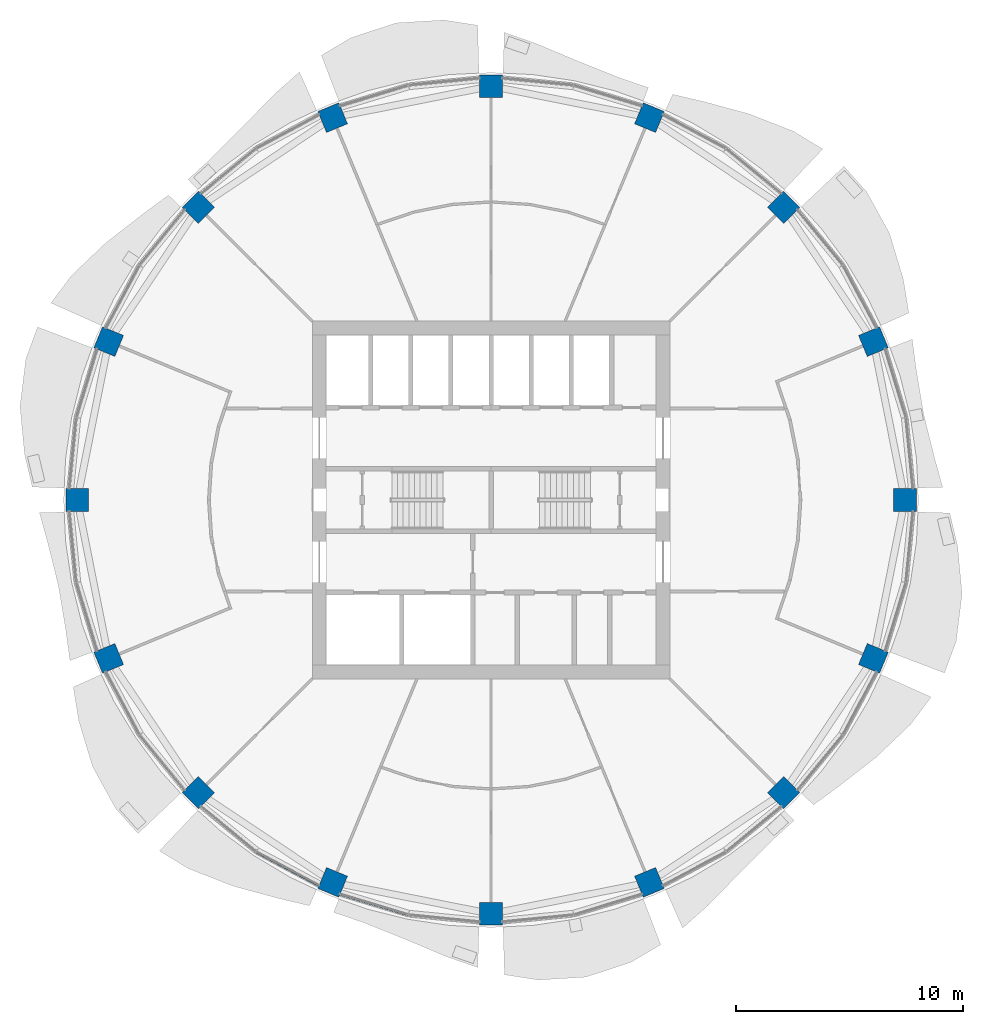
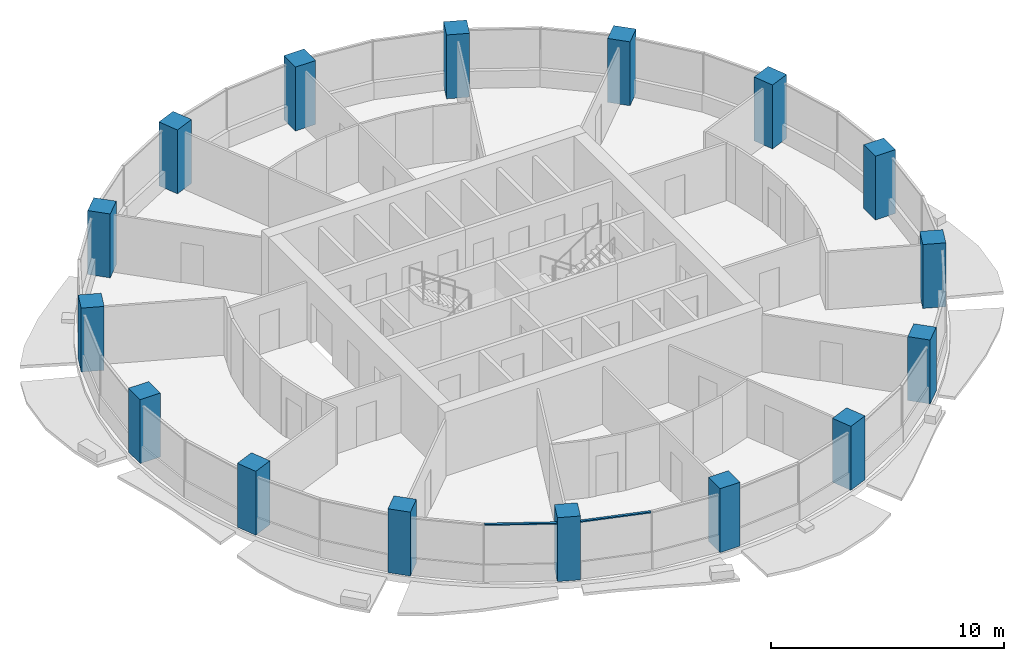
# One storey, part 1 of 15: 16 columns, 2 members, 2 elements without a shape of their own.
"""IFC4 building model written with IfcOpenShell, lengths in metres."""

from ifc_helpers import new_model, si_unit, direction, frame, origin, origin_2d, place, context, subcontext, project, spatial, rectangle, extrude, material, material_profile, profile_set, type_object, element, aggregate, save


model = new_model("IFC4")

# Units and contexts
model_context = context("Model", 3, precision=1e-05, world=origin(), true_north=direction((0.0, 1.0)))
body_context = subcontext(model_context, "Body", "Model", "MODEL_VIEW")
ifc_project = project(units=[si_unit("LENGTHUNIT", "METRE"), si_unit("AREAUNIT", "SQUARE_METRE"), si_unit("VOLUMEUNIT", "CUBIC_METRE"), si_unit("PLANEANGLEUNIT", "RADIAN"), si_unit("MASSUNIT", "GRAM", prefix="KILO")], contexts=[model_context])

# Site, building, storey
site_placement = place(None, origin())
site = spatial("IfcSite", under=ifc_project, at=site_placement, CompositionType="ELEMENT")
building_placement = place(site_placement, origin())
building = spatial("IfcBuilding", under=site, at=building_placement, Name="Polderwave Tower", CompositionType="ELEMENT")
storey_placement = place(building_placement, frame((0.0, 0.0, 157.800048828125)))
storey = spatial("IfcBuildingStorey", under=building, at=storey_placement, Name="L42", CompositionType="ELEMENT", Elevation=157.800048828125)

# Columns
ifc_material_1 = material(Name="Concrete C60/75", Category="concrete")
ifc_material_profile_1 = material_profile(ifc_material_1, rectangle(XDim=1.0, YDim=1.0, at=origin_2d()), Name="RC 1000x1000")
ifc_profile_set_1 = profile_set([ifc_material_profile_1], Name="Concrete C60/75")
column_type = type_object("IfcColumnType", Name="RC COLUMN 1000x1000 C60/75", PredefinedType="COLUMN", material=ifc_profile_set_1)
for number, where, z_axis, x_axis, name in (
    (1, (18.22998046875, 0.0, 0.0), (0.0, 0.0, 1.0), (1.0, 0.0, 0.0), "Ring column 01"),
    (2, (16.84228515625, 6.976318359375, 0.0), (0.0, 0.0, 1.0), (0.923879532511, 0.382683432365, 0.0), "Ring column 02"),
    (3, (12.890625, 12.890625, 0.0), (0.0, 0.0, 1.0), (0.707106781187, 0.707106781187, 0.0), "Ring column 03"),
    (4, (6.976318359375, 16.84228515625, 0.0), (0.0, 0.0, 1.0), (0.382683432365, 0.923879532511, 0.0), "Ring column 04"),
    (5, (0.0, 18.22998046875, 0.0), (0.0, 0.0, 1.0), (0.0, 1.0, 0.0), "Ring column 05"),
    (6, (-6.976318359375, 16.84228515625, 0.0), (0.0, 0.0, 1.0), (-0.382683432365, 0.923879532511, 0.0), "Ring column 06"),
    (7, (-12.890625, 12.890625, 0.0), (0.0, 0.0, 1.0), (-0.707106781187, 0.707106781187, 0.0), "Ring column 07"),
    (8, (-16.84228515625, 6.976318359375, 0.0), (0.0, 0.0, 1.0), (-0.923879532511, 0.382683432365, 0.0), "Ring column 08"),
    (9, (-18.22998046875, 0.0, 0.0), (0.0, 0.0, 1.0), (-1.0, 0.0, 0.0), "Ring column 09"),
    (10, (-16.84228515625, -6.976318359375, 0.0), (0.0, 0.0, 1.0), (-0.923879532511, -0.382683432365, 0.0), "Ring column 10"),
    (11, (-12.890625, -12.890625, 0.0), (0.0, 0.0, 1.0), (-0.707106781187, -0.707106781187, 0.0), "Ring column 11"),
    (12, (-6.976318359375, -16.84228515625, 0.0), (0.0, 0.0, 1.0), (-0.382683432365, -0.923879532511, 0.0), "Ring column 12"),
    (13, (0.0, -18.22998046875, 0.0), (0.0, 0.0, 1.0), (0.0, -1.0, 0.0), "Ring column 13"),
    (14, (6.976318359375, -16.84228515625, 0.0), (0.0, 0.0, 1.0), (0.382683432365, -0.923879532511, 0.0), "Ring column 14"),
    (15, (12.890625, -12.890625, 0.0), (0.0, 0.0, 1.0), (0.707106781187, -0.707106781187, 0.0), "Ring column 15"),
    (16, (16.84228515625, -6.976318359375, 0.0), (0.0, 0.0, 1.0), (0.923879532511, -0.382683432365, 0.0), "Ring column 16"),
):
    element("IfcColumn", number, at=place(storey_placement, frame(where, z_axis=z_axis, x_axis=x_axis)), inside=storey, type_object=column_type, Name=name, PredefinedType="COLUMN", context=body_context, shape_type="SweptSolid", body=[
        extrude(rectangle(XDim=1.0, YDim=1.0, at=origin_2d()), origin(), (0.0, 0.0, 1.0), 3.349853515625),
    ])

# Curtain wall, member
ifc_material_2 = material(Name="Aluminium 6063-T6 and glass", Category="aluminium")
curtain_wall_type = type_object("IfcCurtainWallType", Name="Office ribbon glazing wall", PredefinedType="NOTDEFINED", material=ifc_material_2)
curtain_wall_1_placement = place(storey_placement, origin())
curtain_wall_1 = element("IfcCurtainWall", 17, at=curtain_wall_1_placement, inside=storey, type_object=curtain_wall_type, Name="CW3 L42 10", PredefinedType="NOTDEFINED")
ifc_material_3 = material(Name="Aluminium 6063-T6", Category="aluminium")
ifc_material_profile_2 = material_profile(ifc_material_3, rectangle(XDim=0.1201171875, YDim=0.06005859375, at=origin_2d()), Name="AL 60x120")
ifc_profile_set_2 = profile_set([ifc_material_profile_2], Name="Aluminium 6063-T6")
member_type = type_object("IfcMemberType", Name="Office ribbon glazing transom 60x120", PredefinedType="USERDEFINED", material=ifc_profile_set_2)
member_1_placement = place(storey_placement, frame((-10.32568359375, -15.5029296875, 2.969970703125), z_axis=(0.881880665153, -0.471472684712, 0.0), x_axis=(0.471472684712, 0.881880665153, 0.0)))
member_1 = element("IfcMember", 18, at=member_1_placement, type_object=member_type, Name="CW3 transom 2", ObjectType="TRANSOM", PredefinedType="USERDEFINED", context=body_context, shape_type="SweptSolid", body=[
    extrude(rectangle(XDim=0.1201171875, YDim=0.06005859375, at=origin_2d()), origin(), (0.0, 0.0, 1.0), 3.12255859375),
])
aggregate(curtain_wall_1, [member_1])

curtain_wall_2_placement = place(storey_placement, origin())
curtain_wall_2 = element("IfcCurtainWall", 19, at=curtain_wall_2_placement, inside=storey, type_object=curtain_wall_type, Name="CW3 L42 11", PredefinedType="NOTDEFINED")
member_2_placement = place(storey_placement, frame((-6.64892578125, -17.35791015625, 2.969970703125), z_axis=(0.956963215555, -0.290209241883, 0.0), x_axis=(0.290209241883, 0.956963215555, 0.0)))
member_2 = element("IfcMember", 20, at=member_2_placement, type_object=member_type, Name="CW3 transom 1", ObjectType="TRANSOM", PredefinedType="USERDEFINED", context=body_context, shape_type="SweptSolid", body=[
    extrude(rectangle(XDim=0.1201171875, YDim=0.06005859375, at=origin_2d()), origin(), (0.0, 0.0, 1.0), 3.121826171875),
])
aggregate(curtain_wall_2, [member_2])

save(model, "model.ifc")
